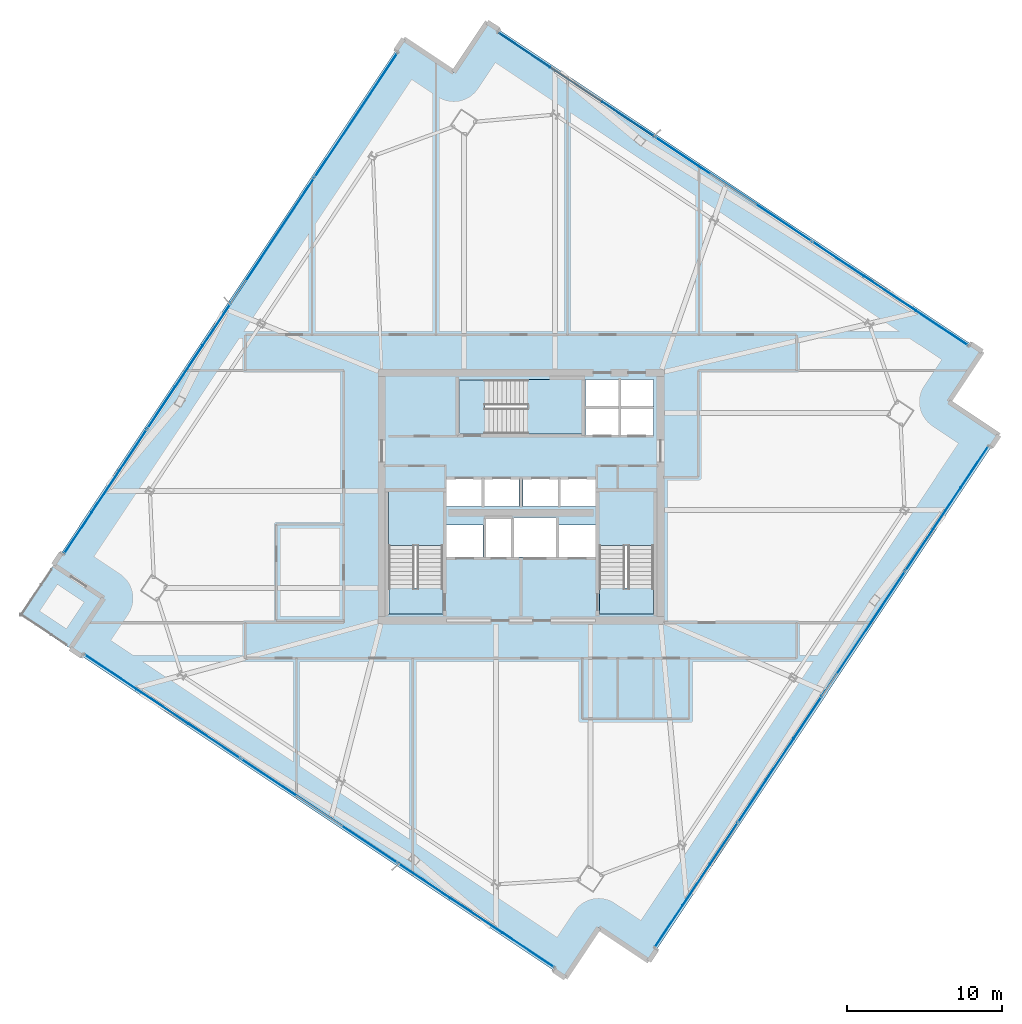
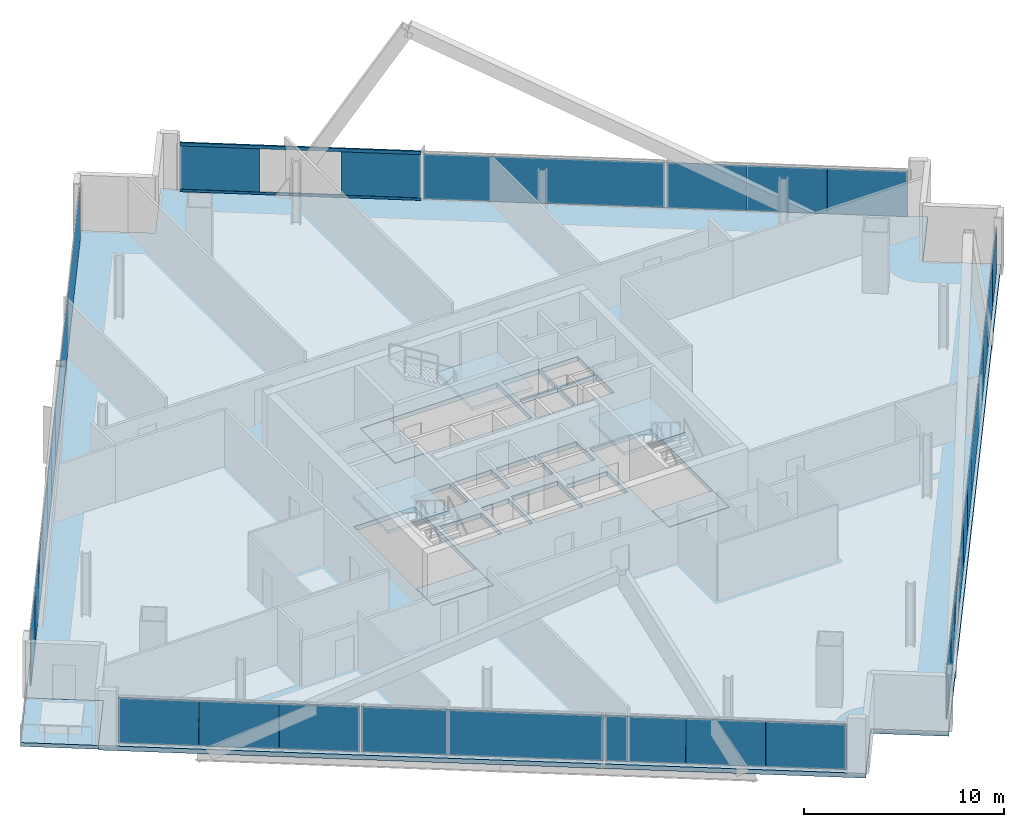
# One storey, part 23 of 32: 31 plates, 8 slabs, 2 members, 7 elements without a shape of their own.
"""IFC4 building model written with IfcOpenShell, lengths in metres."""

from ifc_helpers import new_model, si_unit, direction, frame, origin, origin_2d, place, context, subcontext, project, spatial, polyline, rectangle, hollow_rectangle, outline, extrude, source, transform, mapped, material, layer, layer_set, material_profile, profile_set, type_object, element, aggregate, save


model = new_model("IFC4")

# Units and contexts
model_context = context("Model", 3, precision=1e-05, world=origin(), true_north=direction((0.0, 1.0)))
body_context = subcontext(model_context, "Body", "Model", "MODEL_VIEW")
ifc_project = project(units=[si_unit("LENGTHUNIT", "METRE"), si_unit("AREAUNIT", "SQUARE_METRE"), si_unit("VOLUMEUNIT", "CUBIC_METRE"), si_unit("PLANEANGLEUNIT", "RADIAN"), si_unit("MASSUNIT", "GRAM", prefix="KILO")], contexts=[model_context])

# Site, building, storey
site_placement = place(None, origin())
site = spatial("IfcSite", under=ifc_project, at=site_placement, CompositionType="ELEMENT")
building_placement = place(site_placement, origin())
building = spatial("IfcBuilding", under=site, at=building_placement, Name="Haldenkirk Collegiate Tower", CompositionType="ELEMENT")
storey_placement = place(building_placement, frame((0.0, 0.0, 217.199951171875)))
storey = spatial("IfcBuildingStorey", under=building, at=storey_placement, Name="L54", CompositionType="ELEMENT", Elevation=217.199951171875)

# Curtain wall, members
ifc_material_1 = material(Name="Anodised architectural bronze aluminium", Category="aluminium")
curtain_wall_type_1 = type_object("IfcCurtainWallType", Name="CW-SYS1B-CONVEX-HI", PredefinedType="USERDEFINED", material=ifc_material_1)
curtain_wall_1_placement = place(storey_placement, origin())
curtain_wall_1 = element("IfcCurtainWall", 1, at=curtain_wall_1_placement, inside=storey, type_object=curtain_wall_type_1, Name="L54 Upper tower high-wind convex bronze unitised curtain wall", ObjectType="UNITISED CURTAIN WALL", PredefinedType="USERDEFINED")
ifc_material_profile = material_profile(ifc_material_1, hollow_rectangle(XDim=0.0849609375, YDim=0.199951171875, WallThickness=0.0048828125, at=origin_2d()), Name="CW-TRN-1B")
ifc_profile_set = profile_set([ifc_material_profile], Name="Anodised architectural bronze aluminium")
member_type = type_object("IfcMemberType", Name="CW-TRN-1B", PredefinedType="USERDEFINED", material=ifc_profile_set)
member_1_placement = place(storey_placement, frame((34.535400390625, 55.9501953125, 0.04248046875), z_axis=(0.832438984079, -0.554116718558, 0.0), x_axis=(0.554116718558, 0.832438984079, 0.0)))
member_1 = element("IfcMember", 2, at=member_1_placement, type_object=member_type, Name="CW-1B transom 1.1", ObjectType="TRANSOM", PredefinedType="USERDEFINED", context=body_context, shape_type="SweptSolid", body=[
    extrude(hollow_rectangle(XDim=0.0849609375, YDim=0.199951171875, WallThickness=0.0048828125, at=origin_2d()), origin(), (0.0, 0.0, 1.0), 12.07275390625),
])
member_2_placement = place(storey_placement, frame((34.535400390625, 55.9501953125, 2.885498046875), z_axis=(0.832438984079, -0.554116718558, 0.0), x_axis=(0.554116718558, 0.832438984079, 0.0)))
member_2 = element("IfcMember", 3, at=member_2_placement, type_object=member_type, Name="CW-1B transom 1.2", ObjectType="TRANSOM", PredefinedType="USERDEFINED", context=body_context, shape_type="SweptSolid", body=[
    extrude(hollow_rectangle(XDim=0.0849609375, YDim=0.199951171875, WallThickness=0.0048828125, at=origin_2d()), origin(), (0.0, 0.0, 1.0), 12.07275390625),
])

# Slab
ifc_material_2 = material(Name="Concrete f'c 40 MPa", Category="concrete")
ifc_layer_1 = layer(ifc_material_2, 0.280029296875)
ifc_layer_set_1 = layer_set([ifc_layer_1], Name="Concrete f'c 40 MPa")
slab_type_1 = type_object("IfcSlabType", Name="SLB-FLR-280", PredefinedType="FLOOR", material=ifc_layer_set_1)
slab_1_placement = place(storey_placement, frame((0.0, 0.0, -0.280029296875)))
element("IfcSlab", 4, at=slab_1_placement, inside=storey, type_object=slab_type_1, Name="L54 composite structural floor slab", PredefinedType="FLOOR", context=body_context, shape_type="SweptSolid", body=[
    extrude(outline(polyline([(44.25830078125, -4.00341796875), (66.8662109375, 29.9599609375), (63.619873046875, 32.12109375), (65.781005859375, 35.367431640625), (33.815185546875, 56.645751953125), (31.654296875, 53.399169921875), (28.40771484375, 55.560302734375), (5.799560546875, 21.5966796875), (9.046142578125, 19.435791015625), (6.885009765625, 16.189208984375), (38.8505859375, -5.089111328125), (41.01171875, -1.842529296875), (44.25830078125, -4.00341796875)]), holes=[polyline([(27.449951171875, 18.39990234375), (30.949951171875, 18.39990234375), (30.949951171875, 26.300048828125), (27.449951171875, 26.300048828125), (27.449951171875, 18.39990234375)]), polyline([(41.050048828125, 18.39990234375), (44.550048828125, 18.39990234375), (44.550048828125, 26.300048828125), (41.050048828125, 26.300048828125), (41.050048828125, 18.39990234375)]), polyline([(32.0, 30.050048828125), (39.89990234375, 30.050048828125), (39.89990234375, 33.550048828125), (32.0, 33.550048828125), (32.0, 30.050048828125)]), polyline([(33.75, 22.10009765625), (35.35009765625, 22.10009765625), (35.35009765625, 24.550048828125), (33.75, 24.550048828125), (33.75, 22.10009765625)]), polyline([(40.14990234375, 29.949951171875), (42.320068359375, 29.949951171875), (42.320068359375, 31.699951171875), (40.14990234375, 31.699951171875), (40.14990234375, 29.949951171875)]), polyline([(42.419921875, 29.949951171875), (44.550048828125, 29.949951171875), (44.550048828125, 31.699951171875), (42.419921875, 31.699951171875), (42.419921875, 29.949951171875)]), polyline([(40.14990234375, 31.800048828125), (42.320068359375, 31.800048828125), (42.320068359375, 33.550048828125), (40.14990234375, 33.550048828125), (40.14990234375, 31.800048828125)]), polyline([(42.419921875, 31.800048828125), (44.550048828125, 31.800048828125), (44.550048828125, 33.550048828125), (42.419921875, 33.550048828125), (42.419921875, 31.800048828125)]), polyline([(31.199951171875, 25.35009765625), (33.47998046875, 25.35009765625), (33.47998046875, 27.14990234375), (31.199951171875, 27.14990234375), (31.199951171875, 25.35009765625)]), polyline([(33.60009765625, 25.35009765625), (35.8798828125, 25.35009765625), (35.8798828125, 27.14990234375), (33.60009765625, 27.14990234375), (33.60009765625, 25.35009765625)]), polyline([(36.1201171875, 25.35009765625), (38.39990234375, 25.35009765625), (38.39990234375, 27.14990234375), (36.1201171875, 27.14990234375), (36.1201171875, 25.35009765625)]), polyline([(38.52001953125, 25.35009765625), (40.800048828125, 25.35009765625), (40.800048828125, 27.14990234375), (38.52001953125, 27.14990234375), (38.52001953125, 25.35009765625)]), polyline([(31.199951171875, 22.10009765625), (33.550048828125, 22.10009765625), (33.550048828125, 24.14990234375), (31.199951171875, 24.14990234375), (31.199951171875, 22.10009765625)]), polyline([(38.449951171875, 22.10009765625), (40.800048828125, 22.10009765625), (40.800048828125, 24.14990234375), (38.449951171875, 24.14990234375), (38.449951171875, 22.10009765625)]), polyline([(35.550048828125, 22.10009765625), (38.25, 22.10009765625), (38.25, 24.64990234375), (35.550048828125, 24.64990234375), (35.550048828125, 22.10009765625)])]), origin(), (0.0, 0.0, 1.0), 0.280029296875),
])

# Stair, slab
stair_type = type_object("IfcStairType", Name="STR-DOGLEG-1650", PredefinedType="HALF_TURN_STAIR", material=ifc_material_2)
stair_1_placement = place(storey_placement, origin())
stair_1 = element("IfcStair", 5, at=stair_1_placement, inside=storey, type_object=stair_type, Name="L54 Core Exit Stair ST-1", PredefinedType="HALF_TURN_STAIR")
ifc_layer_2 = layer(ifc_material_2, 0.199951171875)
ifc_layer_set_2 = layer_set([ifc_layer_2], Name="Concrete f'c 40 MPa")
slab_type_2 = type_object("IfcSlabType", Name="SLB-LANDING-200", PredefinedType="LANDING", material=ifc_layer_set_2)
slab_2_placement = place(storey_placement, frame((0.0, 0.0, 1.675048828125)))
slab_2 = element("IfcSlab", 6, at=slab_2_placement, type_object=slab_type_2, Name="ST-1 landing 1", PredefinedType="LANDING", context=body_context, shape_type="SweptSolid", body=[
    extrude(outline(polyline([(30.97509765625, 22.824951171875), (27.425048828125, 22.824951171875), (27.425048828125, 26.324951171875), (30.97509765625, 26.324951171875), (30.97509765625, 22.824951171875)])), origin(), (0.0, 0.0, 1.0), 0.199951171875),
])
aggregate(stair_1, [slab_2])

stair_2_placement = place(storey_placement, origin())
stair_2 = element("IfcStair", 7, at=stair_2_placement, inside=storey, type_object=stair_type, Name="L54 Core Exit Stair ST-2", PredefinedType="HALF_TURN_STAIR")
slab_3_placement = place(storey_placement, frame((0.0, 0.0, 1.675048828125)))
slab_3 = element("IfcSlab", 8, at=slab_3_placement, type_object=slab_type_2, Name="ST-2 landing 1", PredefinedType="LANDING", context=body_context, shape_type="SweptSolid", body=[
    extrude(outline(polyline([(44.574951171875, 22.824951171875), (41.02490234375, 22.824951171875), (41.02490234375, 26.324951171875), (44.574951171875, 26.324951171875), (44.574951171875, 22.824951171875)])), origin(), (0.0, 0.0, 1.0), 0.199951171875),
])
aggregate(stair_2, [slab_3])

stair_3_placement = place(storey_placement, origin())
stair_3 = element("IfcStair", 9, at=stair_3_placement, inside=storey, type_object=stair_type, Name="L54 Core Exit Stair ST-3", PredefinedType="HALF_TURN_STAIR")
slab_4_placement = place(storey_placement, frame((0.0, 0.0, 1.675048828125)))
slab_4 = element("IfcSlab", 10, at=slab_4_placement, type_object=slab_type_2, Name="ST-3 landing 1", PredefinedType="LANDING", context=body_context, shape_type="SweptSolid", body=[
    extrude(outline(polyline([(36.425048828125, 30.02490234375), (36.425048828125, 33.574951171875), (39.925048828125, 33.574951171875), (39.925048828125, 30.02490234375), (36.425048828125, 30.02490234375)])), origin(), (0.0, 0.0, 1.0), 0.199951171875),
])
aggregate(stair_3, [slab_4])

# Slabs
ifc_layer_3 = layer(ifc_material_2, 0.25)
ifc_layer_set_3 = layer_set([ifc_layer_3], Name="Concrete f'c 40 MPa")
slab_type_3 = type_object("IfcSlabType", Name="SLB-STAIRLAND-250", PredefinedType="LANDING", material=ifc_layer_set_3)
slab_5_placement = place(storey_placement, frame((0.0, 0.0, -0.25)))
element("IfcSlab", 11, at=slab_5_placement, inside=storey, type_object=slab_type_3, Name="L54 stair ST1 structural floor landing slab", PredefinedType="LANDING", context=body_context, shape_type="SweptSolid", body=[
    extrude(outline(polyline([(27.4599609375, 18.409912109375), (30.93994140625, 18.409912109375), (30.93994140625, 20.080078125), (27.4599609375, 20.080078125), (27.4599609375, 18.409912109375)])), origin(), (0.0, 0.0, 1.0), 0.25),
])
slab_6_placement = place(storey_placement, frame((0.0, 0.0, -0.25)))
element("IfcSlab", 12, at=slab_6_placement, inside=storey, type_object=slab_type_3, Name="L54 stair ST2 structural floor landing slab", PredefinedType="LANDING", context=body_context, shape_type="SweptSolid", body=[
    extrude(outline(polyline([(41.06005859375, 18.409912109375), (44.5400390625, 18.409912109375), (44.5400390625, 20.080078125), (41.06005859375, 20.080078125), (41.06005859375, 18.409912109375)])), origin(), (0.0, 0.0, 1.0), 0.25),
])
slab_7_placement = place(storey_placement, frame((0.0, 0.0, -0.25)))
element("IfcSlab", 13, at=slab_7_placement, inside=storey, type_object=slab_type_3, Name="L54 stair ST3 structural floor landing slab", PredefinedType="LANDING", context=body_context, shape_type="SweptSolid", body=[
    extrude(outline(polyline([(32.010009765625, 30.06005859375), (33.679931640625, 30.06005859375), (33.679931640625, 33.5400390625), (32.010009765625, 33.5400390625), (32.010009765625, 30.06005859375)])), origin(), (0.0, 0.0, 1.0), 0.25),
])
ifc_layer_4 = layer(ifc_material_2, 0.22998046875)
ifc_layer_set_4 = layer_set([ifc_layer_4], Name="Concrete f'c 40 MPa")
slab_type_4 = type_object("IfcSlabType", Name="SLB-TERR-SPIRAL-230", PredefinedType="FLOOR", material=ifc_layer_set_4)
slab_8_placement = place(storey_placement, frame((0.0, 0.0, -0.22998046875)))
element("IfcSlab", 14, at=slab_8_placement, inside=storey, type_object=slab_type_4, Name="L54 spiralling corner terrace slab", PredefinedType="FLOOR", context=body_context, shape_type="SweptSolid", body=[
    extrude(outline(polyline([(6.885009765625, 16.189208984375), (9.046142578125, 19.435791015625), (5.799560546875, 21.5966796875), (3.638671875, 18.35009765625), (6.885009765625, 16.189208984375)])), origin(), (0.0, 0.0, 1.0), 0.22998046875),
])

# Curtain wall, plates
curtain_wall_type_2 = type_object("IfcCurtainWallType", Name="CW-SYS2-CONCAVE", PredefinedType="USERDEFINED", material=ifc_material_1)
curtain_wall_2_placement = place(storey_placement, origin())
curtain_wall_2 = element("IfcCurtainWall", 15, at=curtain_wall_2_placement, inside=storey, type_object=curtain_wall_type_2, Name="L54 South concave recessed bronze-anodised curtain wall", ObjectType="UNITISED CURTAIN WALL", PredefinedType="USERDEFINED")
ifc_material_3 = material(Name="Low-E argon triple insulating glass", Category="glass")
ifc_layer_5 = layer(ifc_material_3, 0.0419921875)
ifc_layer_set_5 = layer_set([ifc_layer_5], Name="Low-E argon triple insulating glass")
plate_type_1 = type_object("IfcPlateType", Name="CW-PNL-02", PredefinedType="CURTAIN_PANEL", material=ifc_layer_set_5)
shared_shape_1 = source(origin(), body_context, "Body", "SweptSolid", [
    extrude(rectangle(XDim=9.675048828125, YDim=0.0419921875, at=origin_2d()), origin(), (0.0, 0.0, 1.0), 2.778076171875),
])
plate_1_placement = place(storey_placement, frame((58.11376953125, 17.135986328125, 0.0751953125), z_axis=(0.0, 0.0, 1.0), x_axis=(-0.55411781203, -0.832438256204, 0.0)))
plate_1 = element("IfcPlate", 16, at=plate_1_placement, type_object=plate_type_1, Name="CW-02 panel 2.1", PredefinedType="CURTAIN_PANEL", context=body_context, shape_type="MappedRepresentation", body=[
    mapped(shared_shape_1, transform((0.0, 0.0, 0.0), x_axis=(1.0, 0.0, 0.0), y_axis=(0.0, 1.0, 0.0), z_axis=(0.0, 0.0, 1.0), scale=1.0)),
])
shared_shape_2 = source(origin(), body_context, "Body", "SweptSolid", [
    extrude(rectangle(XDim=3.21240234375, YDim=0.0419921875, at=origin_2d()), origin(), (0.0, 0.0, 1.0), 2.778076171875),
])
plate_2_placement = place(storey_placement, frame((54.501708984375, 11.709716796875, 0.0751953125), z_axis=(0.0, 0.0, 1.0), x_axis=(-0.55411781203, -0.832438256204, 0.0)))
plate_2 = element("IfcPlate", 17, at=plate_2_placement, type_object=plate_type_1, Name="CW-02 panel 3.1a", PredefinedType="CURTAIN_PANEL", context=body_context, shape_type="MappedRepresentation", body=[
    mapped(shared_shape_2, transform((0.0, 0.0, 0.0), x_axis=(1.0, 0.0, 0.0), y_axis=(0.0, 1.0, 0.0), z_axis=(0.0, 0.0, 1.0), scale=1.0)),
])
ifc_material_4 = material(Name="Bronze-anodised insulated aluminium spandrel panel", Category="aluminium")
ifc_layer_6 = layer(ifc_material_4, 0.0419921875)
ifc_layer_set_6 = layer_set([ifc_layer_6], Name="Bronze-anodised insulated aluminium spandrel panel")
plate_type_2 = type_object("IfcPlateType", Name="CW-SPD-02", PredefinedType="CURTAIN_PANEL", material=ifc_layer_set_6)
plate_3_placement = place(storey_placement, frame((50.920654296875, 6.330078125, 0.0751953125), z_axis=(0.0, 0.0, 1.0), x_axis=(-0.55411781203, -0.832438256204, 0.0)))
plate_3 = element("IfcPlate", 18, at=plate_3_placement, type_object=plate_type_2, Name="CW-02 spandrel panel 3.1c", PredefinedType="CURTAIN_PANEL", context=body_context, shape_type="MappedRepresentation", body=[
    mapped(shared_shape_2, transform((0.0, 0.0, 0.0), x_axis=(1.0, 0.0, 0.0), y_axis=(0.0, 1.0, 0.0), z_axis=(0.0, 0.0, 1.0), scale=1.0)),
])
shared_shape_3 = source(origin(), body_context, "Body", "SweptSolid", [
    extrude(rectangle(XDim=3.199951171875, YDim=0.0419921875, at=origin_2d()), origin(), (0.0, 0.0, 1.0), 2.778076171875),
])
plate_4_placement = place(storey_placement, frame((65.289794921875, 27.916259765625, 0.0751953125), z_axis=(0.0, 0.0, 1.0), x_axis=(-0.55411781203, -0.832438256204, 0.0)))
plate_4 = element("IfcPlate", 19, at=plate_4_placement, type_object=plate_type_1, Name="CW-02 panel 1.1a", PredefinedType="CURTAIN_PANEL", context=body_context, shape_type="MappedRepresentation", body=[
    mapped(shared_shape_3, transform((0.0, 0.0, 0.0), x_axis=(1.0, 0.0, 0.0), y_axis=(0.0, 1.0, 0.0), z_axis=(0.0, 0.0, 1.0), scale=1.0)),
])
plate_5_placement = place(storey_placement, frame((61.722412109375, 22.557373046875, 0.0751953125), z_axis=(0.0, 0.0, 1.0), x_axis=(-0.55411781203, -0.832438256204, 0.0)))
plate_5 = element("IfcPlate", 20, at=plate_5_placement, type_object=plate_type_2, Name="CW-02 spandrel panel 1.1c", PredefinedType="CURTAIN_PANEL", context=body_context, shape_type="MappedRepresentation", body=[
    mapped(shared_shape_3, transform((0.0, 0.0, 0.0), x_axis=(1.0, 0.0, 0.0), y_axis=(0.0, 1.0, 0.0), z_axis=(0.0, 0.0, 1.0), scale=1.0)),
])
plate_6_placement = place(storey_placement, frame((52.711181640625, 9.019775390625, 0.0751953125), z_axis=(0.0, 0.0, 1.0), x_axis=(-0.55411781203, -0.832438256204, 0.0)))
plate_6 = element("IfcPlate", 21, at=plate_6_placement, type_object=plate_type_1, Name="CW-02 panel 3.1b", PredefinedType="CURTAIN_PANEL", context=body_context, shape_type="MappedRepresentation", body=[
    mapped(shared_shape_3, transform((0.0, 0.0, 0.0), x_axis=(1.0, 0.0, 0.0), y_axis=(0.0, 1.0, 0.0), z_axis=(0.0, 0.0, 1.0), scale=1.0)),
])
plate_7_placement = place(storey_placement, frame((49.1025390625, 3.5986328125, 0.0751953125), z_axis=(0.0, 0.0, 1.0), x_axis=(-0.55411781203, -0.832438256204, 0.0)))
plate_7 = element("IfcPlate", 22, at=plate_7_placement, type_object=plate_type_2, Name="CW-02 spandrel panel 4.1a", PredefinedType="CURTAIN_PANEL", context=body_context, shape_type="MappedRepresentation", body=[
    mapped(shared_shape_3, transform((0.0, 0.0, 0.0), x_axis=(1.0, 0.0, 0.0), y_axis=(0.0, 1.0, 0.0), z_axis=(0.0, 0.0, 1.0), scale=1.0)),
])
plate_8_placement = place(storey_placement, frame((45.535400390625, -1.76025390625, 0.0751953125), z_axis=(0.0, 0.0, 1.0), x_axis=(-0.55411781203, -0.832438256204, 0.0)))
plate_8 = element("IfcPlate", 23, at=plate_8_placement, type_object=plate_type_1, Name="CW-02 panel 4.1c", PredefinedType="CURTAIN_PANEL", context=body_context, shape_type="MappedRepresentation", body=[
    mapped(shared_shape_3, transform((0.0, 0.0, 0.0), x_axis=(1.0, 0.0, 0.0), y_axis=(0.0, 1.0, 0.0), z_axis=(0.0, 0.0, 1.0), scale=1.0)),
])

# Plate
ifc_layer_7 = layer(ifc_material_3, 0.048095703125)
ifc_layer_set_7 = layer_set([ifc_layer_7], Name="Low-E argon triple insulating glass")
plate_type_3 = type_object("IfcPlateType", Name="CW-PNL-1B", PredefinedType="CURTAIN_PANEL", material=ifc_layer_set_7)
shared_shape_4 = source(origin(), body_context, "Body", "SweptSolid", [
    extrude(rectangle(XDim=4.01171875, YDim=0.048095703125, at=origin_2d()), origin(), (0.0, 0.0, 1.0), 2.758056640625),
])
plate_9_placement = place(storey_placement, frame((36.205078125, 54.838623046875, 0.0849609375), z_axis=(0.0, 0.0, 1.0), x_axis=(0.832437648012, -0.554118725701, 0.0)))
plate_9 = element("IfcPlate", 24, at=plate_9_placement, type_object=plate_type_3, Name="CW-1B panel 1.1a", PredefinedType="CURTAIN_PANEL", context=body_context, shape_type="MappedRepresentation", body=[
    mapped(shared_shape_4, transform((0.0, 0.0, 0.0), x_axis=(1.0, 0.0, 0.0), y_axis=(0.0, 1.0, 0.0), z_axis=(0.0, 0.0, 1.0), scale=1.0)),
])

plate_10_placement = place(storey_placement, frame((42.915283203125, 50.3720703125, 0.0849609375), z_axis=(0.0, 0.0, 1.0), x_axis=(0.832437648012, -0.554118725701, 0.0)))
plate_10 = element("IfcPlate", 25, at=plate_10_placement, type_object=plate_type_3, Name="CW-1B panel 1.1c", PredefinedType="CURTAIN_PANEL", context=body_context, shape_type="MappedRepresentation", body=[
    mapped(shared_shape_4, transform((0.0, 0.0, 0.0), x_axis=(1.0, 0.0, 0.0), y_axis=(0.0, 1.0, 0.0), z_axis=(0.0, 0.0, 1.0), scale=1.0)),
])

ifc_layer_8 = layer(ifc_material_4, 0.048095703125)
ifc_layer_set_8 = layer_set([ifc_layer_8], Name="Bronze-anodised insulated aluminium spandrel panel")
plate_type_4 = type_object("IfcPlateType", Name="CW-SPD-1B", PredefinedType="CURTAIN_PANEL", material=ifc_layer_set_8)
plate_11_placement = place(storey_placement, frame((56.481201171875, 41.341552734375, 0.0849609375), z_axis=(0.0, 0.0, 1.0), x_axis=(0.832437648012, -0.554118725701, 0.0)))
plate_11 = element("IfcPlate", 26, at=plate_11_placement, type_object=plate_type_4, Name="CW-1B spandrel panel 3.1a", PredefinedType="CURTAIN_PANEL", context=body_context, shape_type="MappedRepresentation", body=[
    mapped(shared_shape_4, transform((0.0, 0.0, 0.0), x_axis=(1.0, 0.0, 0.0), y_axis=(0.0, 1.0, 0.0), z_axis=(0.0, 0.0, 1.0), scale=1.0)),
])

plate_12_placement = place(storey_placement, frame((63.19140625, 36.875, 0.0849609375), z_axis=(0.0, 0.0, 1.0), x_axis=(0.832437648012, -0.554118725701, 0.0)))
plate_12 = element("IfcPlate", 27, at=plate_12_placement, type_object=plate_type_3, Name="CW-1B panel 3.1c", PredefinedType="CURTAIN_PANEL", context=body_context, shape_type="MappedRepresentation", body=[
    mapped(shared_shape_4, transform((0.0, 0.0, 0.0), x_axis=(1.0, 0.0, 0.0), y_axis=(0.0, 1.0, 0.0), z_axis=(0.0, 0.0, 1.0), scale=1.0)),
])

# Curtain wall, plates
curtain_wall_3_placement = place(storey_placement, origin())
curtain_wall_3 = element("IfcCurtainWall", 28, at=curtain_wall_3_placement, inside=storey, type_object=curtain_wall_type_1, Name="L54 Upper tower high-wind convex bronze unitised curtain wall", ObjectType="UNITISED CURTAIN WALL", PredefinedType="USERDEFINED")
plate_13_placement = place(storey_placement, frame((36.460693359375, -3.281982421875, 0.0849609375), z_axis=(0.0, 0.0, 1.0), x_axis=(-0.832436809083, 0.554119986, 0.0)))
plate_13 = element("IfcPlate", 29, at=plate_13_placement, type_object=plate_type_3, Name="CW-1B panel 1.1a", PredefinedType="CURTAIN_PANEL", context=body_context, shape_type="MappedRepresentation", body=[
    mapped(shared_shape_4, transform((0.0, 0.0, 0.0), x_axis=(1.0, 0.0, 0.0), y_axis=(0.0, 1.0, 0.0), z_axis=(0.0, 0.0, 1.0), scale=1.0)),
])
plate_14_placement = place(storey_placement, frame((29.75048828125, 1.184814453125, 0.0849609375), z_axis=(0.0, 0.0, 1.0), x_axis=(-0.832436809083, 0.554119986, 0.0)))
plate_14 = element("IfcPlate", 30, at=plate_14_placement, type_object=plate_type_3, Name="CW-1B panel 1.1c", PredefinedType="CURTAIN_PANEL", context=body_context, shape_type="MappedRepresentation", body=[
    mapped(shared_shape_4, transform((0.0, 0.0, 0.0), x_axis=(1.0, 0.0, 0.0), y_axis=(0.0, 1.0, 0.0), z_axis=(0.0, 0.0, 1.0), scale=1.0)),
])
plate_15_placement = place(storey_placement, frame((16.1845703125, 10.215087890625, 0.0849609375), z_axis=(0.0, 0.0, 1.0), x_axis=(-0.832436809083, 0.554119986, 0.0)))
plate_15 = element("IfcPlate", 31, at=plate_15_placement, type_object=plate_type_4, Name="CW-1B spandrel panel 3.1a", PredefinedType="CURTAIN_PANEL", context=body_context, shape_type="MappedRepresentation", body=[
    mapped(shared_shape_4, transform((0.0, 0.0, 0.0), x_axis=(1.0, 0.0, 0.0), y_axis=(0.0, 1.0, 0.0), z_axis=(0.0, 0.0, 1.0), scale=1.0)),
])
plate_16_placement = place(storey_placement, frame((9.474609375, 14.681640625, 0.0849609375), z_axis=(0.0, 0.0, 1.0), x_axis=(-0.832436809083, 0.554119986, 0.0)))
plate_16 = element("IfcPlate", 32, at=plate_16_placement, type_object=plate_type_3, Name="CW-1B panel 3.1c", PredefinedType="CURTAIN_PANEL", context=body_context, shape_type="MappedRepresentation", body=[
    mapped(shared_shape_4, transform((0.0, 0.0, 0.0), x_axis=(1.0, 0.0, 0.0), y_axis=(0.0, 1.0, 0.0), z_axis=(0.0, 0.0, 1.0), scale=1.0)),
])

# Plate
shared_shape_5 = source(origin(), body_context, "Body", "SweptSolid", [
    extrude(rectangle(XDim=3.999267578125, YDim=0.048095703125, at=origin_2d()), origin(), (0.0, 0.0, 1.0), 2.758056640625),
])
plate_17_placement = place(storey_placement, frame((59.83642578125, 39.1083984375, 0.0849609375), z_axis=(0.0, 0.0, 1.0), x_axis=(0.832437648012, -0.554118725701, 0.0)))
plate_17 = element("IfcPlate", 33, at=plate_17_placement, type_object=plate_type_4, Name="CW-1B spandrel panel 3.1b", PredefinedType="CURTAIN_PANEL", context=body_context, shape_type="MappedRepresentation", body=[
    mapped(shared_shape_5, transform((0.0, 0.0, 0.0), x_axis=(1.0, 0.0, 0.0), y_axis=(0.0, 1.0, 0.0), z_axis=(0.0, 0.0, 1.0), scale=1.0)),
])

plate_18_placement = place(storey_placement, frame((33.105712890625, -1.048583984375, 0.0849609375), z_axis=(0.0, 0.0, 1.0), x_axis=(-0.832436809083, 0.554119986, 0.0)))
plate_18 = element("IfcPlate", 34, at=plate_18_placement, type_object=plate_type_4, Name="CW-1B spandrel panel 1.1b", PredefinedType="CURTAIN_PANEL", context=body_context, shape_type="MappedRepresentation", body=[
    mapped(shared_shape_5, transform((0.0, 0.0, 0.0), x_axis=(1.0, 0.0, 0.0), y_axis=(0.0, 1.0, 0.0), z_axis=(0.0, 0.0, 1.0), scale=1.0)),
])

plate_19_placement = place(storey_placement, frame((12.82958984375, 12.448486328125, 0.0849609375), z_axis=(0.0, 0.0, 1.0), x_axis=(-0.832436809083, 0.554119986, 0.0)))
plate_19 = element("IfcPlate", 35, at=plate_19_placement, type_object=plate_type_4, Name="CW-1B spandrel panel 3.1b", PredefinedType="CURTAIN_PANEL", context=body_context, shape_type="MappedRepresentation", body=[
    mapped(shared_shape_5, transform((0.0, 0.0, 0.0), x_axis=(1.0, 0.0, 0.0), y_axis=(0.0, 1.0, 0.0), z_axis=(0.0, 0.0, 1.0), scale=1.0)),
])

shared_shape_6 = source(origin(), body_context, "Body", "SweptSolid", [
    extrude(rectangle(XDim=3.1875, YDim=0.0419921875, at=origin_2d()), origin(), (0.0, 0.0, 1.0), 2.778076171875),
])
plate_20_placement = place(storey_placement, frame((63.506103515625, 25.23681640625, 0.0751953125), z_axis=(0.0, 0.0, 1.0), x_axis=(-0.55411781203, -0.832438256204, 0.0)))
plate_20 = element("IfcPlate", 36, at=plate_20_placement, type_object=plate_type_2, Name="CW-02 spandrel panel 1.1b", PredefinedType="CURTAIN_PANEL", context=body_context, shape_type="MappedRepresentation", body=[
    mapped(shared_shape_6, transform((0.0, 0.0, 0.0), x_axis=(1.0, 0.0, 0.0), y_axis=(0.0, 1.0, 0.0), z_axis=(0.0, 0.0, 1.0), scale=1.0)),
])

plate_21_placement = place(storey_placement, frame((47.31884765625, 0.919189453125, 0.0751953125), z_axis=(0.0, 0.0, 1.0), x_axis=(-0.55411781203, -0.832438256204, 0.0)))
plate_21 = element("IfcPlate", 37, at=plate_21_placement, type_object=plate_type_2, Name="CW-02 spandrel panel 4.1b", PredefinedType="CURTAIN_PANEL", context=body_context, shape_type="MappedRepresentation", body=[
    mapped(shared_shape_6, transform((0.0, 0.0, 0.0), x_axis=(1.0, 0.0, 0.0), y_axis=(0.0, 1.0, 0.0), z_axis=(0.0, 0.0, 1.0), scale=1.0)),
])

aggregate(curtain_wall_2, [plate_4, plate_20, plate_5, plate_1, plate_2, plate_6, plate_3, plate_7, plate_21, plate_8])

shared_shape_7 = source(origin(), body_context, "Body", "SweptSolid", [
    extrude(rectangle(XDim=12.114990234375, YDim=0.048095703125, at=origin_2d()), origin(), (0.0, 0.0, 1.0), 2.758056640625),
])
plate_22_placement = place(storey_placement, frame((49.6982421875, 45.856689453125, 0.0849609375), z_axis=(0.0, 0.0, 1.0), x_axis=(0.832437648012, -0.554118725701, 0.0)))
plate_22 = element("IfcPlate", 38, at=plate_22_placement, type_object=plate_type_3, Name="CW-1B panel 2.1", PredefinedType="CURTAIN_PANEL", context=body_context, shape_type="MappedRepresentation", body=[
    mapped(shared_shape_7, transform((0.0, 0.0, 0.0), x_axis=(1.0, 0.0, 0.0), y_axis=(0.0, 1.0, 0.0), z_axis=(0.0, 0.0, 1.0), scale=1.0)),
])

aggregate(curtain_wall_1, [member_1, member_2, plate_9, plate_10, plate_22, plate_11, plate_17, plate_12])

plate_23_placement = place(storey_placement, frame((22.967529296875, 5.699951171875, 0.0849609375), z_axis=(0.0, 0.0, 1.0), x_axis=(-0.832436809083, 0.554119986, 0.0)))
plate_23 = element("IfcPlate", 39, at=plate_23_placement, type_object=plate_type_3, Name="CW-1B panel 2.1", PredefinedType="CURTAIN_PANEL", context=body_context, shape_type="MappedRepresentation", body=[
    mapped(shared_shape_7, transform((0.0, 0.0, 0.0), x_axis=(1.0, 0.0, 0.0), y_axis=(0.0, 1.0, 0.0), z_axis=(0.0, 0.0, 1.0), scale=1.0)),
])

aggregate(curtain_wall_3, [plate_13, plate_18, plate_14, plate_23, plate_15, plate_19, plate_16])

# Curtain wall, plates
curtain_wall_4_placement = place(storey_placement, origin())
curtain_wall_4 = element("IfcCurtainWall", 40, at=curtain_wall_4_placement, inside=storey, type_object=curtain_wall_type_1, Name="L54 Upper tower high-wind convex bronze unitised curtain wall", ObjectType="UNITISED CURTAIN WALL", PredefinedType="USERDEFINED")
shared_shape_8 = source(origin(), body_context, "Body", "SweptSolid", [
    extrude(rectangle(XDim=3.195068359375, YDim=0.048095703125, at=origin_2d()), origin(), (0.0, 0.0, 1.0), 3.300048828125),
])
plate_24_placement = place(storey_placement, frame((7.38037109375, 23.646728515625, 0.0849609375), z_axis=(0.0, 0.0, 1.0), x_axis=(0.554119588827, 0.832437073465, 0.0)))
plate_24 = element("IfcPlate", 41, at=plate_24_placement, type_object=plate_type_3, Name="CW-1B panel 1.1a", PredefinedType="CURTAIN_PANEL", context=body_context, shape_type="MappedRepresentation", body=[
    mapped(shared_shape_8, transform((0.0, 0.0, 0.0), x_axis=(1.0, 0.0, 0.0), y_axis=(0.0, 1.0, 0.0), z_axis=(0.0, 0.0, 1.0), scale=1.0)),
])
plate_25_placement = place(storey_placement, frame((10.94189453125, 28.997314453125, 0.0849609375), z_axis=(0.0, 0.0, 1.0), x_axis=(0.554119588827, 0.832437073465, 0.0)))
plate_25 = element("IfcPlate", 42, at=plate_25_placement, type_object=plate_type_4, Name="CW-1B spandrel panel 1.1c", PredefinedType="CURTAIN_PANEL", context=body_context, shape_type="MappedRepresentation", body=[
    mapped(shared_shape_8, transform((0.0, 0.0, 0.0), x_axis=(1.0, 0.0, 0.0), y_axis=(0.0, 1.0, 0.0), z_axis=(0.0, 0.0, 1.0), scale=1.0)),
])
shared_shape_9 = source(origin(), body_context, "Body", "SweptSolid", [
    extrude(rectangle(XDim=3.1826171875, YDim=0.048095703125, at=origin_2d()), origin(), (0.0, 0.0, 1.0), 3.300048828125),
])
plate_26_placement = place(storey_placement, frame((9.1611328125, 26.322021484375, 0.0849609375), z_axis=(0.0, 0.0, 1.0), x_axis=(0.554119588827, 0.832437073465, 0.0)))
plate_26 = element("IfcPlate", 43, at=plate_26_placement, type_object=plate_type_4, Name="CW-1B spandrel panel 1.1b", PredefinedType="CURTAIN_PANEL", context=body_context, shape_type="MappedRepresentation", body=[
    mapped(shared_shape_9, transform((0.0, 0.0, 0.0), x_axis=(1.0, 0.0, 0.0), y_axis=(0.0, 1.0, 0.0), z_axis=(0.0, 0.0, 1.0), scale=1.0)),
])
shared_shape_10 = source(origin(), body_context, "Body", "SweptSolid", [
    extrude(rectangle(XDim=3.209228515625, YDim=0.048095703125, at=origin_2d()), origin(), (0.0, 0.0, 1.0), 3.300048828125),
])
plate_27_placement = place(storey_placement, frame((12.763427734375, 31.733642578125, 0.0849609375), z_axis=(0.0, 0.0, 1.0), x_axis=(0.554119588827, 0.832437073465, 0.0)))
plate_27 = element("IfcPlate", 44, at=plate_27_placement, type_object=plate_type_3, Name="CW-1B panel 2.1a", PredefinedType="CURTAIN_PANEL", context=body_context, shape_type="MappedRepresentation", body=[
    mapped(shared_shape_10, transform((0.0, 0.0, 0.0), x_axis=(1.0, 0.0, 0.0), y_axis=(0.0, 1.0, 0.0), z_axis=(0.0, 0.0, 1.0), scale=1.0)),
])
plate_28_placement = place(storey_placement, frame((16.3408203125, 37.107666015625, 0.0849609375), z_axis=(0.0, 0.0, 1.0), x_axis=(0.554119588827, 0.832437073465, 0.0)))
plate_28 = element("IfcPlate", 45, at=plate_28_placement, type_object=plate_type_4, Name="CW-1B spandrel panel 2.1c", PredefinedType="CURTAIN_PANEL", context=body_context, shape_type="MappedRepresentation", body=[
    mapped(shared_shape_10, transform((0.0, 0.0, 0.0), x_axis=(1.0, 0.0, 0.0), y_axis=(0.0, 1.0, 0.0), z_axis=(0.0, 0.0, 1.0), scale=1.0)),
])
shared_shape_11 = source(origin(), body_context, "Body", "SweptSolid", [
    extrude(rectangle(XDim=3.19677734375, YDim=0.048095703125, at=origin_2d()), origin(), (0.0, 0.0, 1.0), 3.300048828125),
])
plate_29_placement = place(storey_placement, frame((14.552001953125, 34.420654296875, 0.0849609375), z_axis=(0.0, 0.0, 1.0), x_axis=(0.554119588827, 0.832437073465, 0.0)))
plate_29 = element("IfcPlate", 46, at=plate_29_placement, type_object=plate_type_4, Name="CW-1B spandrel panel 2.1b", PredefinedType="CURTAIN_PANEL", context=body_context, shape_type="MappedRepresentation", body=[
    mapped(shared_shape_11, transform((0.0, 0.0, 0.0), x_axis=(1.0, 0.0, 0.0), y_axis=(0.0, 1.0, 0.0), z_axis=(0.0, 0.0, 1.0), scale=1.0)),
])
shared_shape_12 = source(origin(), body_context, "Body", "SweptSolid", [
    extrude(rectangle(XDim=9.6650390625, YDim=0.048095703125, at=origin_2d()), origin(), (0.0, 0.0, 1.0), 3.300048828125),
])
plate_30_placement = place(storey_placement, frame((19.954833984375, 42.536865234375, 0.0849609375), z_axis=(0.0, 0.0, 1.0), x_axis=(0.554119588827, 0.832437073465, 0.0)))
plate_30 = element("IfcPlate", 47, at=plate_30_placement, type_object=plate_type_3, Name="CW-1B panel 3.1", PredefinedType="CURTAIN_PANEL", context=body_context, shape_type="MappedRepresentation", body=[
    mapped(shared_shape_12, transform((0.0, 0.0, 0.0), x_axis=(1.0, 0.0, 0.0), y_axis=(0.0, 1.0, 0.0), z_axis=(0.0, 0.0, 1.0), scale=1.0)),
])
shared_shape_13 = source(origin(), body_context, "Body", "SweptSolid", [
    extrude(rectangle(XDim=9.62255859375, YDim=0.048095703125, at=origin_2d()), origin(), (0.0, 0.0, 1.0), 3.300048828125),
])
plate_31_placement = place(storey_placement, frame((25.345703125, 50.635498046875, 0.0849609375), z_axis=(0.0, 0.0, 1.0), x_axis=(0.554119588827, 0.832437073465, 0.0)))
plate_31 = element("IfcPlate", 48, at=plate_31_placement, type_object=plate_type_3, Name="CW-1B panel 4.1", PredefinedType="CURTAIN_PANEL", context=body_context, shape_type="MappedRepresentation", body=[
    mapped(shared_shape_13, transform((0.0, 0.0, 0.0), x_axis=(1.0, 0.0, 0.0), y_axis=(0.0, 1.0, 0.0), z_axis=(0.0, 0.0, 1.0), scale=1.0)),
])
aggregate(curtain_wall_4, [plate_24, plate_26, plate_25, plate_27, plate_29, plate_28, plate_30, plate_31])

save(model, "model.ifc")
